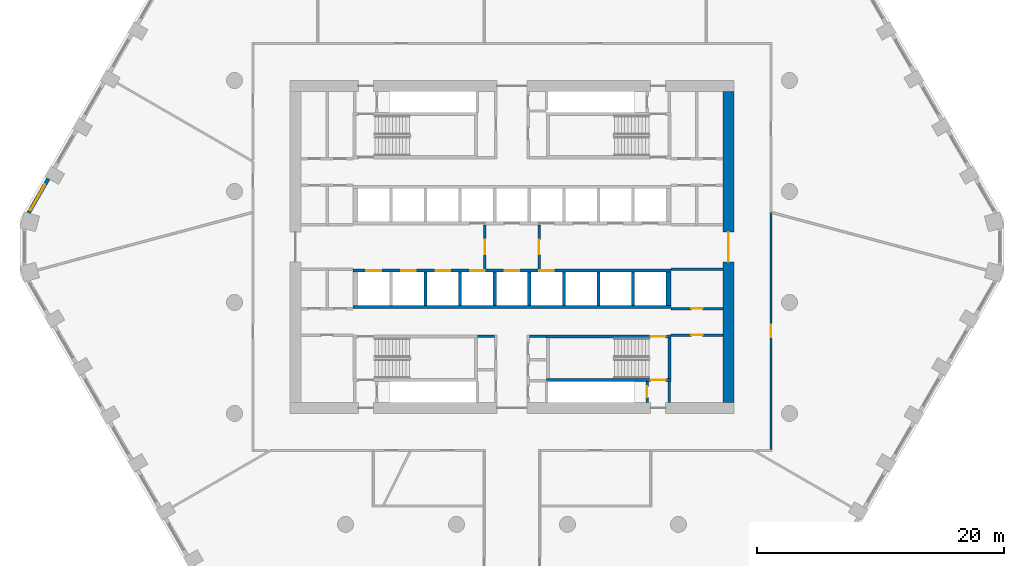
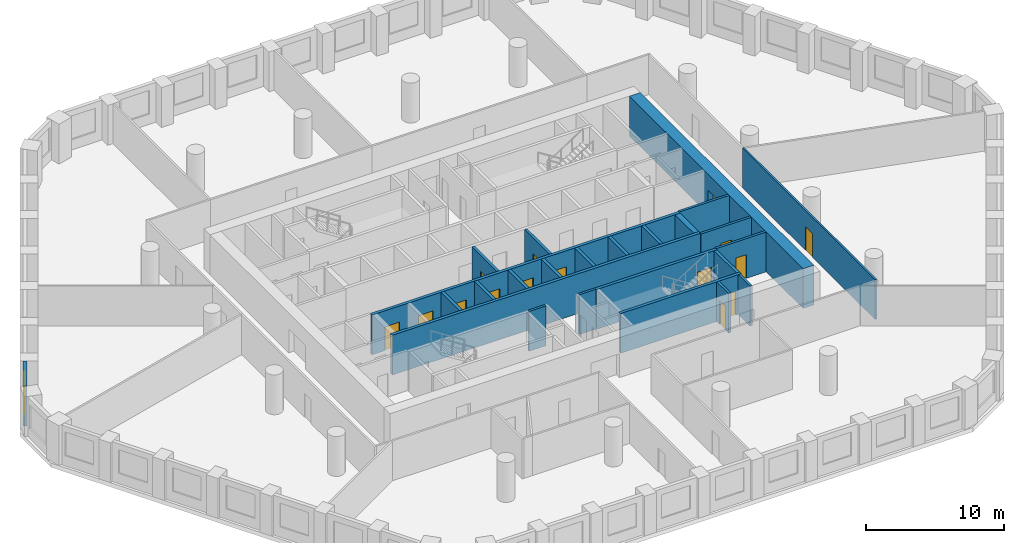
# One storey, part 4 of 9: 25 walls, 15 doors, 1 window, 16 openings.
"""IFC4 building model written with IfcOpenShell, lengths in metres."""

from ifc_helpers import new_model, si_unit, direction, frame, frame_2d, origin, place, context, subcontext, project, spatial, polyline, rectangle, outline, extrude, material, layer, layer_set, type_object, element, fill, save


model = new_model("IFC4")

# Units and contexts
model_context = context("Model", 3, precision=1e-05, world=origin(), true_north=direction((0.0, 1.0)))
body_context = subcontext(model_context, "Body", "Model", "MODEL_VIEW")
ifc_project = project(units=[si_unit("LENGTHUNIT", "METRE"), si_unit("AREAUNIT", "SQUARE_METRE"), si_unit("VOLUMEUNIT", "CUBIC_METRE"), si_unit("PLANEANGLEUNIT", "RADIAN"), si_unit("MASSUNIT", "GRAM", prefix="KILO")], contexts=[model_context])

# Site, building, storey
site_placement = place(None, origin())
site = spatial("IfcSite", under=ifc_project, at=site_placement, CompositionType="ELEMENT")
building_placement = place(site_placement, origin())
building = spatial("IfcBuilding", under=site, at=building_placement, Name="Dhurran Vertical Campus", CompositionType="ELEMENT")
storey_placement = place(building_placement, frame((0.0, 0.0, 116.39990234375)))
storey = spatial("IfcBuildingStorey", under=building, at=storey_placement, Name="L28", CompositionType="ELEMENT", Elevation=116.39990234375)

# Wall, opening, window
ifc_material_1 = material(Name="Precast concrete C50/60", Category="concrete")
ifc_layer_1 = layer(ifc_material_1, 0.300048828125)
ifc_layer_set_1 = layer_set([ifc_layer_1], Name="Precast concrete C50/60")
wall_type_1 = type_object("IfcWallType", Name="Precast spandrel wall 300", PredefinedType="SOLIDWALL", material=ifc_layer_set_1)
wall_1_placement = place(storey_placement, frame((-37.59423828125, 5.538818359375, 0.0), z_axis=(0.0, 0.0, 1.0), x_axis=(-0.500004907028, -0.866022570692, 0.0)))
wall_1 = element("IfcWall", 1, at=wall_1_placement, inside=storey, type_object=wall_type_1, Name="EW1 L28.42", PredefinedType="SOLIDWALL", context=body_context, shape_type="SweptSolid", body=[
    extrude(rectangle(XDim=3.1923828125, YDim=0.300048828125, at=frame_2d((1.59619140625, 0.0))), origin(), (0.0, 0.0, 1.0), 3.525146484375),
])
opening_1_placement = place(wall_1_placement, frame((0.549560546875, 0.0, 0.89990234375)))
opening_1 = element("IfcOpeningElement", 2, at=opening_1_placement, cuts=wall_1, Name="Opening WT1", PredefinedType="OPENING", context=body_context, shape_type="SweptSolid", body=[
    extrude(rectangle(XDim=2.39990234375, YDim=2.10009765625, at=frame_2d((1.199951171875, 1.050048828125))), frame((0.0, 0.159912109375, 0.0), z_axis=(0.0, -1.0, 0.0), x_axis=(1.0, 0.0, 0.0)), (0.0, 0.0, 1.0), 0.320068359375),
])
ifc_material_2 = material(Name="Aluminium frame with solar-control glass", Category="aluminium")
window_type = type_object("IfcWindowType", Name="Punched window 2400 x 2100", PartitioningType="SINGLE_PANEL", PredefinedType="WINDOW", material=ifc_material_2)
window_placement = place(opening_1_placement, origin())
window = element("IfcWindow", 3, at=window_placement, inside=storey, type_object=window_type, Name="WT1 L28.42", OverallHeight=2.10009765625, OverallWidth=2.39990234375, PartitioningType="SINGLE_PANEL", PredefinedType="WINDOW", context=body_context, shape_type="SweptSolid", body=[
    extrude(rectangle(XDim=2.39990234375, YDim=2.10009765625, at=frame_2d((1.199951171875, 1.050048828125))), frame((0.0, 0.030029296875, 0.0), z_axis=(0.0, -1.0, 0.0), x_axis=(1.0, 0.0, 0.0)), (0.0, 0.0, 1.0), 0.06005859375),
])
fill(opening_1, window)

# Wall, opening, door
ifc_material_3 = material(Name="Concrete C60/75", Category="concrete")
ifc_layer_2 = layer(ifc_material_3, 0.89990234375)
ifc_layer_set_2 = layer_set([ifc_layer_2], Name="Concrete C60/75")
wall_type_2 = type_object("IfcWallType", Name="co-CORE-WALL-C0-900", PredefinedType="SHEAR", material=ifc_layer_set_2)
wall_2_placement = place(storey_placement, frame((17.550048828125, -12.60009765625, 0.0), z_axis=(0.0, 0.0, 1.0), x_axis=(0.0, 1.0, 0.0)))
wall_2 = element("IfcWall", 4, at=wall_2_placement, inside=storey, type_object=wall_type_2, Name="Core wall E L28", PredefinedType="SHEAR", context=body_context, shape_type="SweptSolid", body=[
    extrude(rectangle(XDim=25.2001953125, YDim=0.89990234375, at=frame_2d((12.60009765625, 0.0))), origin(), (0.0, 0.0, 1.0), 3.525146484375),
])
opening_2_placement = place(wall_2_placement, frame((11.39990234375, 0.0, 0.0)))
opening_2 = element("IfcOpeningElement", 5, at=opening_2_placement, cuts=wall_2, Name="Opening CL2", PredefinedType="OPENING", context=body_context, shape_type="SweptSolid", body=[
    extrude(rectangle(XDim=2.39990234375, YDim=2.10009765625, at=frame_2d((1.199951171875, 1.050048828125))), frame((0.0, 0.4599609375, 0.0), z_axis=(0.0, -1.0, 0.0), x_axis=(1.0, 0.0, 0.0)), (0.0, 0.0, 1.0), 0.919921875),
])
ifc_material_4 = material(Name="Fire-rated glazed door set")
door_type_1 = type_object("IfcDoorType", Name="co-D-LOBBY 2400x2100", OperationType="DOUBLE_DOOR_DOUBLE_SWING", PredefinedType="DOOR", material=ifc_material_4)
door_1_placement = place(opening_2_placement, origin())
door_1 = element("IfcDoor", 6, at=door_1_placement, inside=storey, type_object=door_type_1, Name="Lift lobby door E L28", OperationType="DOUBLE_DOOR_DOUBLE_SWING", OverallHeight=2.10009765625, OverallWidth=2.39990234375, PredefinedType="DOOR", context=body_context, shape_type="SweptSolid", body=[
    extrude(rectangle(XDim=2.39990234375, YDim=2.10009765625, at=frame_2d((1.199951171875, 1.050048828125))), frame((0.0, 0.02490234375, 0.0), z_axis=(0.0, -1.0, 0.0), x_axis=(1.0, 0.0, 0.0)), (0.0, 0.0, 1.0), 0.050048828125),
])
fill(opening_2, door_1)

ifc_material_5 = material(Name="Fire-rated masonry blockwork", Category="masonry")
ifc_layer_3 = layer(ifc_material_5, 0.199951171875)
ifc_layer_set_3 = layer_set([ifc_layer_3], Name="Fire-rated masonry blockwork")
wall_type_3 = type_object("IfcWallType", Name="co-FIRE-PARTITION-200", PredefinedType="PARTITIONING", material=ifc_layer_set_3)
wall_3_placement = place(storey_placement, frame((-2.199951171875, -1.800048828125, 0.0), z_axis=(0.0, 0.0, 1.0), x_axis=(0.0, 1.0, 0.0)))
wall_3 = element("IfcWall", 7, at=wall_3_placement, inside=storey, type_object=wall_type_3, Name="Firefighting lobby wall W L28", PredefinedType="PARTITIONING", context=body_context, shape_type="SweptSolid", body=[
    extrude(rectangle(XDim=3.60009765625, YDim=0.199951171875, at=frame_2d((1.800048828125, 0.0))), origin(), (0.0, 0.0, 1.0), 3.525146484375),
])
opening_3_placement = place(wall_3_placement, frame((1.199951171875, 0.0, 0.0)))
opening_3 = element("IfcOpeningElement", 8, at=opening_3_placement, cuts=wall_3, Name="Opening FL1", PredefinedType="OPENING", context=body_context, shape_type="SweptSolid", body=[
    extrude(rectangle(XDim=1.199951171875, YDim=2.10009765625, at=frame_2d((0.60009765625, 1.050048828125))), frame((0.0, 0.10986328125, 0.0), z_axis=(0.0, -1.0, 0.0), x_axis=(1.0, 0.0, 0.0)), (0.0, 0.0, 1.0), 0.219970703125),
])
ifc_material_6 = material(Name="Fire-rated steel door set", Category="steel")
door_type_2 = type_object("IfcDoorType", Name="co-D-FFLOBBY 1200x2100", OperationType="SINGLE_SWING_LEFT", PredefinedType="DOOR", material=ifc_material_6)
door_2_placement = place(opening_3_placement, origin())
door_2 = element("IfcDoor", 9, at=door_2_placement, inside=storey, type_object=door_type_2, Name="Firefighting lobby door W L28", OperationType="SINGLE_SWING_LEFT", OverallHeight=2.10009765625, OverallWidth=1.199951171875, PredefinedType="DOOR", context=body_context, shape_type="SweptSolid", body=[
    extrude(rectangle(XDim=1.199951171875, YDim=2.10009765625, at=frame_2d((0.60009765625, 1.050048828125))), frame((0.0, 0.02490234375, 0.0), z_axis=(0.0, -1.0, 0.0), x_axis=(1.0, 0.0, 0.0)), (0.0, 0.0, 1.0), 0.050048828125),
])
fill(opening_3, door_2)

wall_4_placement = place(storey_placement, frame((2.199951171875, -1.800048828125, 0.0), z_axis=(0.0, 0.0, 1.0), x_axis=(0.0, 1.0, 0.0)))
wall_4 = element("IfcWall", 10, at=wall_4_placement, inside=storey, type_object=wall_type_3, Name="Firefighting lobby wall E L28", PredefinedType="PARTITIONING", context=body_context, shape_type="SweptSolid", body=[
    extrude(rectangle(XDim=3.60009765625, YDim=0.199951171875, at=frame_2d((1.800048828125, 0.0))), origin(), (0.0, 0.0, 1.0), 3.525146484375),
])
opening_4_placement = place(wall_4_placement, frame((1.199951171875, 0.0, 0.0)))
opening_4 = element("IfcOpeningElement", 11, at=opening_4_placement, cuts=wall_4, Name="Opening FL2", PredefinedType="OPENING", context=body_context, shape_type="SweptSolid", body=[
    extrude(rectangle(XDim=1.199951171875, YDim=2.10009765625, at=frame_2d((0.60009765625, 1.050048828125))), frame((0.0, 0.10986328125, 0.0), z_axis=(0.0, -1.0, 0.0), x_axis=(1.0, 0.0, 0.0)), (0.0, 0.0, 1.0), 0.219970703125),
])
door_3_placement = place(opening_4_placement, origin())
door_3 = element("IfcDoor", 12, at=door_3_placement, inside=storey, type_object=door_type_2, Name="Firefighting lobby door E L28", OperationType="SINGLE_SWING_LEFT", OverallHeight=2.10009765625, OverallWidth=1.199951171875, PredefinedType="DOOR", context=body_context, shape_type="SweptSolid", body=[
    extrude(rectangle(XDim=1.199951171875, YDim=2.10009765625, at=frame_2d((0.60009765625, 1.050048828125))), frame((0.0, 0.02490234375, 0.0), z_axis=(0.0, -1.0, 0.0), x_axis=(1.0, 0.0, 0.0)), (0.0, 0.0, 1.0), 0.050048828125),
])
fill(opening_4, door_3)

# Walls
for number, where, z_axis, x_axis, name in (
    (13, (-2.800048828125, -7.25, 0.0), (0.0, 0.0, 1.0), (1.0, 0.0, 0.0), "Core partition sl-SW-S L28"),
    (14, (1.39990234375, -7.25, 0.0), (0.0, 0.0, 1.0), (1.0, 0.0, 0.0), "Core partition sl-SE-S L28"),
):
    element("IfcWall", number, at=place(storey_placement, frame(where, z_axis=z_axis, x_axis=x_axis)), inside=storey, type_object=wall_type_3, Name=name, PredefinedType="PARTITIONING", context=body_context, shape_type="SweptSolid", body=[
        extrude(rectangle(XDim=1.400146484375, YDim=0.199951171875, at=frame_2d((0.7001953125, 0.0))), origin(), (0.0, 0.0, 1.0), 3.525146484375),
    ])
wall_5_placement = place(storey_placement, frame((12.75, -12.60009765625, 0.0), z_axis=(0.0, 0.0, 1.0), x_axis=(0.0, 1.0, 0.0)))
element("IfcWall", 15, at=wall_5_placement, inside=storey, type_object=wall_type_3, Name="Core partition pass-ST4-o L28", PredefinedType="PARTITIONING", context=body_context, shape_type="SweptSolid", body=[
    extrude(rectangle(XDim=1.7001953125, YDim=0.199951171875, at=frame_2d((0.85009765625, 0.0))), origin(), (0.0, 0.0, 1.0), 3.525146484375),
])

# Wall, opening, door
wall_6_placement = place(storey_placement, frame((10.949951171875, -12.60009765625, 0.0), z_axis=(0.0, 0.0, 1.0), x_axis=(0.0, 1.0, 0.0)))
wall_6 = element("IfcWall", 16, at=wall_6_placement, inside=storey, type_object=wall_type_3, Name="Core partition pass-ST4-i L28", PredefinedType="PARTITIONING", context=body_context, shape_type="SweptSolid", body=[
    extrude(rectangle(XDim=1.7001953125, YDim=0.199951171875, at=frame_2d((0.85009765625, 0.0))), origin(), (0.0, 0.0, 1.0), 3.525146484375),
])
opening_5_placement = place(wall_6_placement, frame((0.39990234375, 0.0, 0.0)))
opening_5 = element("IfcOpeningElement", 17, at=opening_5_placement, cuts=wall_6, Name="Opening T08-C12", PredefinedType="OPENING", context=body_context, shape_type="SweptSolid", body=[
    extrude(rectangle(XDim=0.89990234375, YDim=2.10009765625, at=frame_2d((0.449951171875, 1.050048828125))), frame((0.0, 0.10986328125, 0.0), z_axis=(0.0, -1.0, 0.0), x_axis=(1.0, 0.0, 0.0)), (0.0, 0.0, 1.0), 0.219970703125),
])
ifc_material_7 = material(Name="Fire-rated timber door set", Category="wood")
door_type_3 = type_object("IfcDoorType", Name="co-D-ROOM 900x2100", OperationType="SINGLE_SWING_LEFT", PredefinedType="DOOR", material=ifc_material_7)
door_4_placement = place(opening_5_placement, origin())
door_4 = element("IfcDoor", 18, at=door_4_placement, inside=storey, type_object=door_type_3, Name="Riser room door L28", OperationType="SINGLE_SWING_LEFT", OverallHeight=2.10009765625, OverallWidth=0.89990234375, PredefinedType="DOOR", context=body_context, shape_type="SweptSolid", body=[
    extrude(rectangle(XDim=0.89990234375, YDim=2.10009765625, at=frame_2d((0.449951171875, 1.050048828125))), frame((0.0, 0.02490234375, 0.0), z_axis=(0.0, -1.0, 0.0), x_axis=(1.0, 0.0, 0.0)), (0.0, 0.0, 1.0), 0.050048828125),
])
fill(opening_5, door_4)

wall_7_placement = place(storey_placement, frame((12.89990234375, -7.14990234375, 0.0), z_axis=(0.0, 0.0, 1.0), x_axis=(1.0, 0.0, 0.0)))
wall_7 = element("IfcWall", 19, at=wall_7_placement, inside=storey, type_object=wall_type_3, Name="Core partition en-SE-w L28", PredefinedType="PARTITIONING", context=body_context, shape_type="SweptSolid", body=[
    extrude(rectangle(XDim=4.2001953125, YDim=0.199951171875, at=frame_2d((2.10009765625, 0.0))), origin(), (0.0, 0.0, 1.0), 3.525146484375),
])
opening_6_placement = place(wall_7_placement, frame((1.64990234375, 0.0, 0.0)))
opening_6 = element("IfcOpeningElement", 20, at=opening_6_placement, cuts=wall_7, Name="Opening T08-C24", PredefinedType="OPENING", context=body_context, shape_type="SweptSolid", body=[
    extrude(rectangle(XDim=0.89990234375, YDim=2.10009765625, at=frame_2d((0.449951171875, 1.050048828125))), frame((0.0, 0.10986328125, 0.0), z_axis=(0.0, -1.0, 0.0), x_axis=(1.0, 0.0, 0.0)), (0.0, 0.0, 1.0), 0.219970703125),
])
door_5_placement = place(opening_6_placement, origin())
door_5 = element("IfcDoor", 21, at=door_5_placement, inside=storey, type_object=door_type_3, Name="Waste room door L28", OperationType="SINGLE_SWING_LEFT", OverallHeight=2.10009765625, OverallWidth=0.89990234375, PredefinedType="DOOR", context=body_context, shape_type="SweptSolid", body=[
    extrude(rectangle(XDim=0.89990234375, YDim=2.10009765625, at=frame_2d((0.449951171875, 1.050048828125))), frame((0.0, 0.02490234375, 0.0), z_axis=(0.0, -1.0, 0.0), x_axis=(1.0, 0.0, 0.0)), (0.0, 0.0, 1.0), 0.050048828125),
])
fill(opening_6, door_5)

wall_8_placement = place(storey_placement, frame((12.89990234375, -5.0, 0.0), z_axis=(0.0, 0.0, 1.0), x_axis=(1.0, 0.0, 0.0)))
wall_8 = element("IfcWall", 22, at=wall_8_placement, inside=storey, type_object=wall_type_3, Name="Core partition es-SE-w L28", PredefinedType="PARTITIONING", context=body_context, shape_type="SweptSolid", body=[
    extrude(rectangle(XDim=4.2001953125, YDim=0.199951171875, at=frame_2d((2.10009765625, 0.0))), origin(), (0.0, 0.0, 1.0), 3.525146484375),
])
opening_7_placement = place(wall_8_placement, frame((1.64990234375, 0.0, 0.0)))
opening_7 = element("IfcOpeningElement", 23, at=opening_7_placement, cuts=wall_8, Name="Opening T08-C25", PredefinedType="OPENING", context=body_context, shape_type="SweptSolid", body=[
    extrude(rectangle(XDim=0.89990234375, YDim=2.10009765625, at=frame_2d((0.449951171875, 1.050048828125))), frame((0.0, 0.10986328125, 0.0), z_axis=(0.0, -1.0, 0.0), x_axis=(1.0, 0.0, 0.0)), (0.0, 0.0, 1.0), 0.219970703125),
])
door_6_placement = place(opening_7_placement, origin())
door_6 = element("IfcDoor", 24, at=door_6_placement, inside=storey, type_object=door_type_3, Name="Store door L28", OperationType="SINGLE_SWING_LEFT", OverallHeight=2.10009765625, OverallWidth=0.89990234375, PredefinedType="DOOR", context=body_context, shape_type="SweptSolid", body=[
    extrude(rectangle(XDim=0.89990234375, YDim=2.10009765625, at=frame_2d((0.449951171875, 1.050048828125))), frame((0.0, 0.02490234375, 0.0), z_axis=(0.0, -1.0, 0.0), x_axis=(1.0, 0.0, 0.0)), (0.0, 0.0, 1.0), 0.050048828125),
])
fill(opening_7, door_6)

# Wall
wall_9_placement = place(storey_placement, frame((12.89990234375, -1.800048828125, 0.0), z_axis=(0.0, 0.0, 1.0), x_axis=(1.0, 0.0, 0.0)))
element("IfcWall", 25, at=wall_9_placement, inside=storey, type_object=wall_type_3, Name="Core partition es-SE-l L28", PredefinedType="PARTITIONING", context=body_context, shape_type="SweptSolid", body=[
    extrude(rectangle(XDim=4.2001953125, YDim=0.199951171875, at=frame_2d((2.10009765625, 0.0))), origin(), (0.0, 0.0, 1.0), 3.525146484375),
])

# Wall, openings, doors
ifc_material_8 = material(Name="Concrete C50/60", Category="concrete")
ifc_layer_4 = layer(ifc_material_8, 0.25)
ifc_layer_set_4 = layer_set([ifc_layer_4], Name="Concrete C50/60")
wall_type_4 = type_object("IfcWallType", Name="co-SHAFT-FRONT-250", PredefinedType="SHEAR", material=ifc_layer_set_4)
wall_10_placement = place(storey_placement, frame((-12.89990234375, -1.925048828125, 0.0), z_axis=(0.0, 0.0, 1.0), x_axis=(1.0, 0.0, 0.0)))
wall_10 = element("IfcWall", 26, at=wall_10_placement, inside=storey, type_object=wall_type_4, Name="Lift landing wall S L28", PredefinedType="SHEAR", context=body_context, shape_type="SweptSolid", body=[
    extrude(rectangle(XDim=25.7998046875, YDim=0.25, at=frame_2d((12.89990234375, 0.0))), origin(), (0.0, 0.0, 1.0), 3.525146484375),
])
opening_8_placement = place(wall_10_placement, frame((1.10009765625, 0.0, 0.0)))
opening_8 = element("IfcOpeningElement", 27, at=opening_8_placement, cuts=wall_10, Name="Opening LD", PredefinedType="OPENING", context=body_context, shape_type="SweptSolid", body=[
    extrude(rectangle(XDim=1.199951171875, YDim=2.10009765625, at=frame_2d((0.60009765625, 1.050048828125))), frame((0.0, 0.135009765625, 0.0), z_axis=(0.0, -1.0, 0.0), x_axis=(1.0, 0.0, 0.0)), (0.0, 0.0, 1.0), 0.27001953125),
])
opening_9_placement = place(wall_10_placement, frame((3.89990234375, 0.0, 0.0)))
opening_9 = element("IfcOpeningElement", 28, at=opening_9_placement, cuts=wall_10, Name="Opening LD", PredefinedType="OPENING", context=body_context, shape_type="SweptSolid", body=[
    extrude(rectangle(XDim=1.199951171875, YDim=2.10009765625, at=frame_2d((0.60009765625, 1.050048828125))), frame((0.0, 0.135009765625, 0.0), z_axis=(0.0, -1.0, 0.0), x_axis=(1.0, 0.0, 0.0)), (0.0, 0.0, 1.0), 0.27001953125),
])
opening_10_placement = place(wall_10_placement, frame((6.699951171875, 0.0, 0.0)))
opening_10 = element("IfcOpeningElement", 29, at=opening_10_placement, cuts=wall_10, Name="Opening LD", PredefinedType="OPENING", context=body_context, shape_type="SweptSolid", body=[
    extrude(rectangle(XDim=1.199951171875, YDim=2.10009765625, at=frame_2d((0.60009765625, 1.050048828125))), frame((0.0, 0.135009765625, 0.0), z_axis=(0.0, -1.0, 0.0), x_axis=(1.0, 0.0, 0.0)), (0.0, 0.0, 1.0), 0.27001953125),
])
opening_11_placement = place(wall_10_placement, frame((9.5, 0.0, 0.0)))
opening_11 = element("IfcOpeningElement", 30, at=opening_11_placement, cuts=wall_10, Name="Opening LD", PredefinedType="OPENING", context=body_context, shape_type="SweptSolid", body=[
    extrude(rectangle(XDim=1.199951171875, YDim=2.10009765625, at=frame_2d((0.60009765625, 1.050048828125))), frame((0.0, 0.135009765625, 0.0), z_axis=(0.0, -1.0, 0.0), x_axis=(1.0, 0.0, 0.0)), (0.0, 0.0, 1.0), 0.27001953125),
])
opening_12_placement = place(wall_10_placement, frame((12.300048828125, 0.0, 0.0)))
opening_12 = element("IfcOpeningElement", 31, at=opening_12_placement, cuts=wall_10, Name="Opening LD", PredefinedType="OPENING", context=body_context, shape_type="SweptSolid", body=[
    extrude(rectangle(XDim=1.199951171875, YDim=2.10009765625, at=frame_2d((0.60009765625, 1.050048828125))), frame((0.0, 0.135009765625, 0.0), z_axis=(0.0, -1.0, 0.0), x_axis=(1.0, 0.0, 0.0)), (0.0, 0.0, 1.0), 0.27001953125),
])
opening_13_placement = place(wall_10_placement, frame((15.10009765625, 0.0, 0.0)))
opening_13 = element("IfcOpeningElement", 32, at=opening_13_placement, cuts=wall_10, Name="Opening LD", PredefinedType="OPENING", context=body_context, shape_type="SweptSolid", body=[
    extrude(rectangle(XDim=1.199951171875, YDim=2.10009765625, at=frame_2d((0.60009765625, 1.050048828125))), frame((0.0, 0.135009765625, 0.0), z_axis=(0.0, -1.0, 0.0), x_axis=(1.0, 0.0, 0.0)), (0.0, 0.0, 1.0), 0.27001953125),
])
ifc_material_9 = material(Name="Stainless steel landing door", Category="steel")
door_type_4 = type_object("IfcDoorType", Name="co-D-LANDING 1200x2100", OperationType="DOUBLE_DOOR_SLIDING", PredefinedType="DOOR", material=ifc_material_9)
door_7_placement = place(opening_8_placement, origin())
door_7 = element("IfcDoor", 33, at=door_7_placement, inside=storey, type_object=door_type_4, Name="Landing door LR5 L28", OperationType="DOUBLE_DOOR_SLIDING", OverallHeight=2.10009765625, OverallWidth=1.199951171875, PredefinedType="DOOR", context=body_context, shape_type="SweptSolid", body=[
    extrude(rectangle(XDim=1.199951171875, YDim=2.10009765625, at=frame_2d((0.60009765625, 1.050048828125))), frame((0.0, 0.02490234375, 0.0), z_axis=(0.0, -1.0, 0.0), x_axis=(1.0, 0.0, 0.0)), (0.0, 0.0, 1.0), 0.050048828125),
])
fill(opening_8, door_7)
door_8_placement = place(opening_9_placement, origin())
door_8 = element("IfcDoor", 34, at=door_8_placement, inside=storey, type_object=door_type_4, Name="Landing door LR6 L28", OperationType="DOUBLE_DOOR_SLIDING", OverallHeight=2.10009765625, OverallWidth=1.199951171875, PredefinedType="DOOR", context=body_context, shape_type="SweptSolid", body=[
    extrude(rectangle(XDim=1.199951171875, YDim=2.10009765625, at=frame_2d((0.60009765625, 1.050048828125))), frame((0.0, 0.02490234375, 0.0), z_axis=(0.0, -1.0, 0.0), x_axis=(1.0, 0.0, 0.0)), (0.0, 0.0, 1.0), 0.050048828125),
])
fill(opening_9, door_8)
door_9_placement = place(opening_10_placement, origin())
door_9 = element("IfcDoor", 35, at=door_9_placement, inside=storey, type_object=door_type_4, Name="Landing door LR7 L28", OperationType="DOUBLE_DOOR_SLIDING", OverallHeight=2.10009765625, OverallWidth=1.199951171875, PredefinedType="DOOR", context=body_context, shape_type="SweptSolid", body=[
    extrude(rectangle(XDim=1.199951171875, YDim=2.10009765625, at=frame_2d((0.60009765625, 1.050048828125))), frame((0.0, 0.02490234375, 0.0), z_axis=(0.0, -1.0, 0.0), x_axis=(1.0, 0.0, 0.0)), (0.0, 0.0, 1.0), 0.050048828125),
])
fill(opening_10, door_9)
door_10_placement = place(opening_11_placement, origin())
door_10 = element("IfcDoor", 36, at=door_10_placement, inside=storey, type_object=door_type_4, Name="Landing door LR8 L28", OperationType="DOUBLE_DOOR_SLIDING", OverallHeight=2.10009765625, OverallWidth=1.199951171875, PredefinedType="DOOR", context=body_context, shape_type="SweptSolid", body=[
    extrude(rectangle(XDim=1.199951171875, YDim=2.10009765625, at=frame_2d((0.60009765625, 1.050048828125))), frame((0.0, 0.02490234375, 0.0), z_axis=(0.0, -1.0, 0.0), x_axis=(1.0, 0.0, 0.0)), (0.0, 0.0, 1.0), 0.050048828125),
])
fill(opening_11, door_10)
door_11_placement = place(opening_12_placement, origin())
door_11 = element("IfcDoor", 37, at=door_11_placement, inside=storey, type_object=door_type_4, Name="Landing door FF2 L28", OperationType="DOUBLE_DOOR_SLIDING", OverallHeight=2.10009765625, OverallWidth=1.199951171875, PredefinedType="DOOR", context=body_context, shape_type="SweptSolid", body=[
    extrude(rectangle(XDim=1.199951171875, YDim=2.10009765625, at=frame_2d((0.60009765625, 1.050048828125))), frame((0.0, 0.02490234375, 0.0), z_axis=(0.0, -1.0, 0.0), x_axis=(1.0, 0.0, 0.0)), (0.0, 0.0, 1.0), 0.050048828125),
])
fill(opening_12, door_11)
door_12_placement = place(opening_13_placement, origin())
door_12 = element("IfcDoor", 38, at=door_12_placement, inside=storey, type_object=door_type_4, Name="Landing door SV1 L28", OperationType="DOUBLE_DOOR_SLIDING", OverallHeight=2.10009765625, OverallWidth=1.199951171875, PredefinedType="DOOR", context=body_context, shape_type="SweptSolid", body=[
    extrude(rectangle(XDim=1.199951171875, YDim=2.10009765625, at=frame_2d((0.60009765625, 1.050048828125))), frame((0.0, 0.02490234375, 0.0), z_axis=(0.0, -1.0, 0.0), x_axis=(1.0, 0.0, 0.0)), (0.0, 0.0, 1.0), 0.050048828125),
])
fill(opening_13, door_12)

# Walls
ifc_material_10 = material(Name="Concrete C50/60", Category="concrete")
ifc_layer_5 = layer(ifc_material_10, 0.25)
ifc_layer_set_5 = layer_set([ifc_layer_5], Name="Concrete C50/60")
wall_type_5 = type_object("IfcWallType", Name="co-SHAFT-MASS-250", PredefinedType="SHEAR", material=ifc_layer_set_5)
wall_11_placement = place(storey_placement, origin())
element("IfcWall", 39, at=wall_11_placement, inside=storey, type_object=wall_type_5, Name="Lift shaft wall S L28 1", PredefinedType="SHEAR", context=body_context, shape_type="SweptSolid", body=[
    extrude(outline(polyline([(-12.89990234375, -5.0), (12.89990234375, -5.0), (12.89990234375, -4.75), (-12.89990234375, -4.75), (-12.89990234375, -5.0)])), origin(), (0.0, 0.0, 1.0), 3.525146484375),
])
wall_12_placement = place(storey_placement, origin())
element("IfcWall", 40, at=wall_12_placement, inside=storey, type_object=wall_type_5, Name="Lift shaft wall S L28 4", PredefinedType="SHEAR", context=body_context, shape_type="SweptSolid", body=[
    extrude(outline(polyline([(-7.125, -4.75), (-6.875, -4.75), (-6.875, -2.050048828125), (-7.125, -2.050048828125), (-7.125, -4.75)])), origin(), (0.0, 0.0, 1.0), 3.525146484375),
])
wall_13_placement = place(storey_placement, origin())
element("IfcWall", 41, at=wall_13_placement, inside=storey, type_object=wall_type_5, Name="Lift shaft wall S L28 5", PredefinedType="SHEAR", context=body_context, shape_type="SweptSolid", body=[
    extrude(outline(polyline([(-4.324951171875, -4.75), (-4.074951171875, -4.75), (-4.074951171875, -2.050048828125), (-4.324951171875, -2.050048828125), (-4.324951171875, -4.75)])), origin(), (0.0, 0.0, 1.0), 3.525146484375),
])
wall_14_placement = place(storey_placement, origin())
element("IfcWall", 42, at=wall_14_placement, inside=storey, type_object=wall_type_5, Name="Lift shaft wall S L28 6", PredefinedType="SHEAR", context=body_context, shape_type="SweptSolid", body=[
    extrude(outline(polyline([(-1.52490234375, -4.75), (-1.27490234375, -4.75), (-1.27490234375, -2.050048828125), (-1.52490234375, -2.050048828125), (-1.52490234375, -4.75)])), origin(), (0.0, 0.0, 1.0), 3.525146484375),
])
wall_15_placement = place(storey_placement, origin())
element("IfcWall", 43, at=wall_15_placement, inside=storey, type_object=wall_type_5, Name="Lift shaft wall S L28 7", PredefinedType="SHEAR", context=body_context, shape_type="SweptSolid", body=[
    extrude(outline(polyline([(1.27490234375, -4.75), (1.52490234375, -4.75), (1.52490234375, -2.050048828125), (1.27490234375, -2.050048828125), (1.27490234375, -4.75)])), origin(), (0.0, 0.0, 1.0), 3.525146484375),
])
wall_16_placement = place(storey_placement, origin())
element("IfcWall", 44, at=wall_16_placement, inside=storey, type_object=wall_type_5, Name="Lift shaft wall S L28 8", PredefinedType="SHEAR", context=body_context, shape_type="SweptSolid", body=[
    extrude(outline(polyline([(4.074951171875, -4.75), (4.324951171875, -4.75), (4.324951171875, -2.050048828125), (4.074951171875, -2.050048828125), (4.074951171875, -4.75)])), origin(), (0.0, 0.0, 1.0), 3.525146484375),
])
wall_17_placement = place(storey_placement, origin())
element("IfcWall", 45, at=wall_17_placement, inside=storey, type_object=wall_type_5, Name="Lift shaft wall S L28 9", PredefinedType="SHEAR", context=body_context, shape_type="SweptSolid", body=[
    extrude(outline(polyline([(6.875, -4.75), (7.125, -4.75), (7.125, -2.050048828125), (6.875, -2.050048828125), (6.875, -4.75)])), origin(), (0.0, 0.0, 1.0), 3.525146484375),
])
wall_18_placement = place(storey_placement, origin())
element("IfcWall", 46, at=wall_18_placement, inside=storey, type_object=wall_type_5, Name="Lift shaft wall S L28 10", PredefinedType="SHEAR", context=body_context, shape_type="SweptSolid", body=[
    extrude(outline(polyline([(9.675048828125, -4.75), (9.925048828125, -4.75), (9.925048828125, -2.050048828125), (9.675048828125, -2.050048828125), (9.675048828125, -4.75)])), origin(), (0.0, 0.0, 1.0), 3.525146484375),
])
wall_19_placement = place(storey_placement, origin())
element("IfcWall", 47, at=wall_19_placement, inside=storey, type_object=wall_type_5, Name="Lift shaft wall S L28 11", PredefinedType="SHEAR", context=body_context, shape_type="SweptSolid", body=[
    extrude(outline(polyline([(12.47509765625, -4.75), (12.89990234375, -4.75), (12.89990234375, -2.050048828125), (12.47509765625, -2.050048828125), (12.47509765625, -4.75)])), origin(), (0.0, 0.0, 1.0), 3.525146484375),
])

# Wall, opening, door
ifc_material_11 = material(Name="Concrete C40/50", Category="concrete")
ifc_layer_6 = layer(ifc_material_11, 0.25)
ifc_layer_set_6 = layer_set([ifc_layer_6], Name="Concrete C40/50")
wall_type_6 = type_object("IfcWallType", Name="co-STAIR-WALL-250", PredefinedType="SHEAR", material=ifc_layer_set_6)
wall_20_placement = place(storey_placement, frame((2.800048828125, -10.77490234375, 0.0), z_axis=(0.0, 0.0, 1.0), x_axis=(1.0, 0.0, 0.0)))
wall_20 = element("IfcWall", 48, at=wall_20_placement, inside=storey, type_object=wall_type_6, Name="Stair ST4 enclosure wall L28", PredefinedType="SHEAR", context=body_context, shape_type="SweptSolid", body=[
    extrude(rectangle(XDim=10.099853515625, YDim=0.25, at=frame_2d((5.0498046875, 0.0))), origin(), (0.0, 0.0, 1.0), 3.525146484375),
])
opening_14_placement = place(wall_20_placement, frame((8.449951171875, 0.0, 0.0)))
opening_14 = element("IfcOpeningElement", 49, at=opening_14_placement, cuts=wall_20, Name="Opening XS4", PredefinedType="OPENING", context=body_context, shape_type="SweptSolid", body=[
    extrude(rectangle(XDim=1.199951171875, YDim=2.10009765625, at=frame_2d((0.60009765625, 1.050048828125))), frame((0.0, 0.135009765625, 0.0), z_axis=(0.0, -1.0, 0.0), x_axis=(1.0, 0.0, 0.0)), (0.0, 0.0, 1.0), 0.27001953125),
])
ifc_material_12 = material(Name="Fire-rated steel door set", Category="steel")
door_type_5 = type_object("IfcDoorType", Name="co-D-STAIR-EXIT 1200x2100", OperationType="SINGLE_SWING_RIGHT", PredefinedType="DOOR", material=ifc_material_12)
door_13_placement = place(opening_14_placement, origin())
door_13 = element("IfcDoor", 50, at=door_13_placement, inside=storey, type_object=door_type_5, Name="Stair ST4 discharge door L28", OperationType="SINGLE_SWING_RIGHT", OverallHeight=2.10009765625, OverallWidth=1.199951171875, PredefinedType="DOOR", context=body_context, shape_type="SweptSolid", body=[
    extrude(rectangle(XDim=1.199951171875, YDim=2.10009765625, at=frame_2d((0.60009765625, 1.050048828125))), frame((0.0, 0.02490234375, 0.0), z_axis=(0.0, -1.0, 0.0), x_axis=(1.0, 0.0, 0.0)), (0.0, 0.0, 1.0), 0.050048828125),
])
fill(opening_14, door_13)

wall_21_placement = place(storey_placement, frame((2.800048828125, -7.27490234375, 0.0), z_axis=(0.0, 0.0, 1.0), x_axis=(1.0, 0.0, 0.0)))
wall_21 = element("IfcWall", 51, at=wall_21_placement, inside=storey, type_object=wall_type_6, Name="Stair ST4 enclosure wall L28", PredefinedType="SHEAR", context=body_context, shape_type="SweptSolid", body=[
    extrude(rectangle(XDim=10.099853515625, YDim=0.25, at=frame_2d((5.0498046875, 0.0))), origin(), (0.0, 0.0, 1.0), 3.525146484375),
])
opening_15_placement = place(wall_21_placement, frame((8.449951171875, 0.0, 0.0)))
opening_15 = element("IfcOpeningElement", 52, at=opening_15_placement, cuts=wall_21, Name="Opening SD4", PredefinedType="OPENING", context=body_context, shape_type="SweptSolid", body=[
    extrude(rectangle(XDim=1.199951171875, YDim=2.10009765625, at=frame_2d((0.60009765625, 1.050048828125))), frame((0.0, 0.135009765625, 0.0), z_axis=(0.0, -1.0, 0.0), x_axis=(1.0, 0.0, 0.0)), (0.0, 0.0, 1.0), 0.27001953125),
])
ifc_material_13 = material(Name="Fire-rated steel door set", Category="steel")
door_type_6 = type_object("IfcDoorType", Name="co-D-STAIR 1200x2100", OperationType="SINGLE_SWING_LEFT", PredefinedType="DOOR", material=ifc_material_13)
door_14_placement = place(opening_15_placement, origin())
door_14 = element("IfcDoor", 53, at=door_14_placement, inside=storey, type_object=door_type_6, Name="Stair ST4 door L28", OperationType="SINGLE_SWING_LEFT", OverallHeight=2.10009765625, OverallWidth=1.199951171875, PredefinedType="DOOR", context=body_context, shape_type="SweptSolid", body=[
    extrude(rectangle(XDim=1.199951171875, YDim=2.10009765625, at=frame_2d((0.60009765625, 1.050048828125))), frame((0.0, 0.02490234375, 0.0), z_axis=(0.0, -1.0, 0.0), x_axis=(1.0, 0.0, 0.0)), (0.0, 0.0, 1.0), 0.050048828125),
])
fill(opening_15, door_14)

# Wall
wall_22_placement = place(storey_placement, frame((12.77490234375, -10.64990234375, 0.0), z_axis=(0.0, 0.0, 1.0), x_axis=(0.0, 1.0, 0.0)))
element("IfcWall", 54, at=wall_22_placement, inside=storey, type_object=wall_type_6, Name="Stair ST4 enclosure wall L28", PredefinedType="SHEAR", context=body_context, shape_type="SweptSolid", body=[
    extrude(rectangle(XDim=3.25, YDim=0.25, at=frame_2d((1.625, 0.0))), origin(), (0.0, 0.0, 1.0), 3.525146484375),
])

# Wall, opening, door
ifc_material_14 = material(Name="Gypsum board corridor wall on steel studs", Category="steel")
ifc_layer_7 = layer(ifc_material_14, 0.14990234375)
ifc_layer_set_7 = layer_set([ifc_layer_7], Name="Gypsum board corridor wall on steel studs")
wall_type_7 = type_object("IfcWallType", Name="fl-CW-150 corridor wall", PredefinedType="PARTITIONING", material=ifc_layer_set_7)
wall_23_placement = place(storey_placement, frame((21.0, -16.425048828125, 0.0), z_axis=(0.0, 0.0, 1.0), x_axis=(0.0, 1.0, 0.0)))
wall_23 = element("IfcWall", 55, at=wall_23_placement, inside=storey, type_object=wall_type_7, Name="Partition 28-32", PredefinedType="PARTITIONING", context=body_context, shape_type="SweptSolid", body=[
    extrude(rectangle(XDim=19.238037109375, YDim=0.14990234375, at=frame_2d((9.619140625, 0.0))), origin(), (0.0, 0.0, 1.0), 3.525146484375),
])
opening_16_placement = place(wall_23_placement, frame((9.118896484375, 0.0, 0.0)))
opening_16 = element("IfcOpeningElement", 56, at=opening_16_placement, cuts=wall_23, Name="Opening T08.12", PredefinedType="OPENING", context=body_context, shape_type="SweptSolid", body=[
    extrude(rectangle(XDim=1.0, YDim=2.10009765625, at=frame_2d((0.5, 1.050048828125))), frame((0.0, 0.0849609375, 0.0), z_axis=(0.0, -1.0, 0.0), x_axis=(1.0, 0.0, 0.0)), (0.0, 0.0, 1.0), 0.169921875),
])
ifc_material_15 = material(Name="Solid-core timber door set, fire-rated", Category="wood")
door_type_7 = type_object("IfcDoorType", Name="fl-D-1000x2100", OperationType="SINGLE_SWING_LEFT", PredefinedType="DOOR", material=ifc_material_15)
door_15_placement = place(opening_16_placement, origin())
door_15 = element("IfcDoor", 57, at=door_15_placement, inside=storey, type_object=door_type_7, Name="Door 28.12", OperationType="SINGLE_SWING_RIGHT", OverallHeight=2.10009765625, OverallWidth=1.0, PredefinedType="DOOR", context=body_context, shape_type="SweptSolid", body=[
    extrude(rectangle(XDim=1.0, YDim=2.10009765625, at=frame_2d((0.5, 1.050048828125))), frame((0.0, 0.02490234375, 0.0), z_axis=(0.0, -1.0, 0.0), x_axis=(1.0, 0.0, 0.0)), (0.0, 0.0, 1.0), 0.050048828125),
])
fill(opening_16, door_15)

save(model, "model.ifc")
